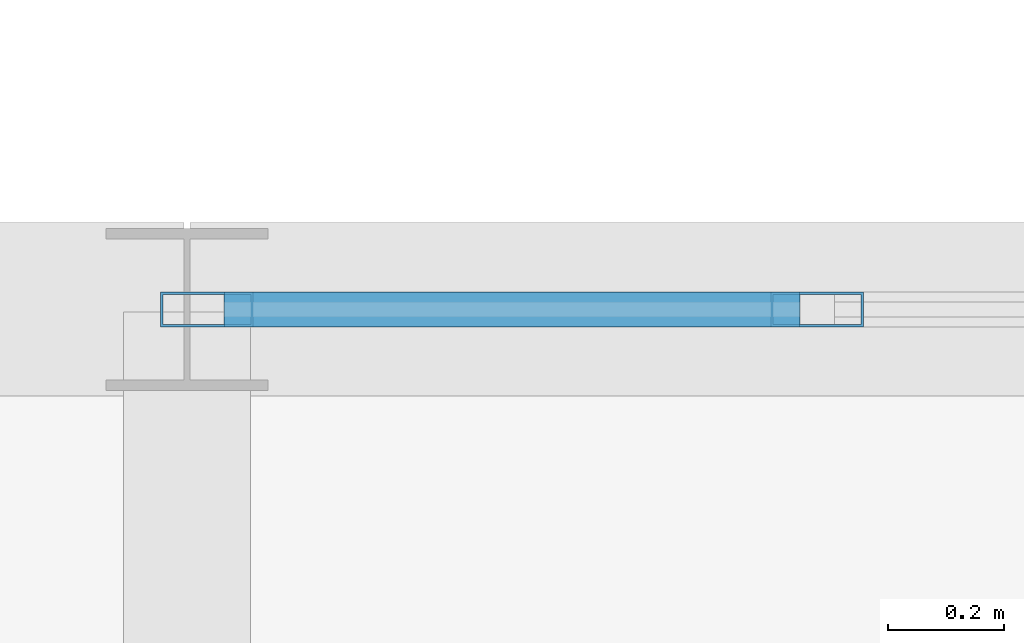
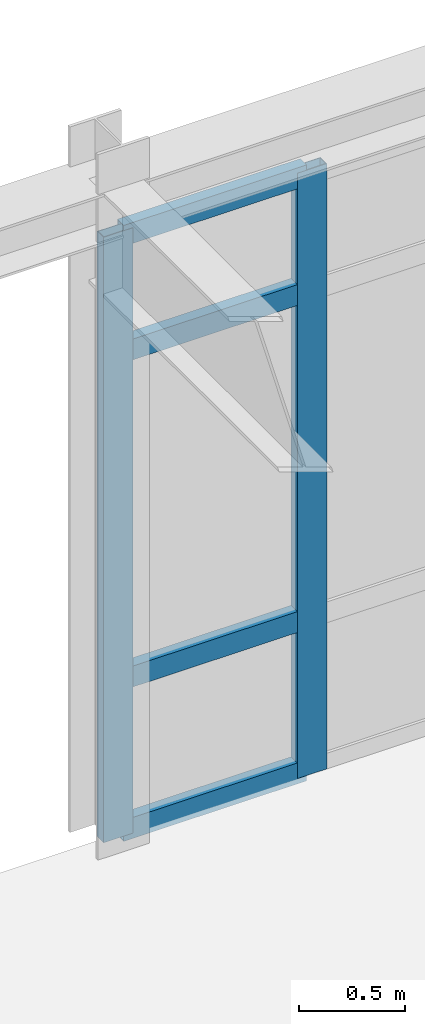
# One storey, part 35 of 165: 6 members, 1 element without a shape of its own.
"""IFC4 building model written with IfcOpenShell, lengths in metres."""

from ifc_helpers import new_model, si_unit, direction, frame, origin, origin_2d, place, context, subcontext, project, spatial, hollow_rectangle, extrude, material, layer, layer_set, material_profile, profile_set, type_object, element, aggregate, save


model = new_model("IFC4")

# Units and contexts
model_context = context("Model", 3, precision=1e-05, world=origin(), true_north=direction((0.0, 1.0)))
body_context = subcontext(model_context, "Body", "Model", "MODEL_VIEW")
ifc_project = project(units=[si_unit("LENGTHUNIT", "METRE"), si_unit("AREAUNIT", "SQUARE_METRE"), si_unit("VOLUMEUNIT", "CUBIC_METRE"), si_unit("PLANEANGLEUNIT", "RADIAN"), si_unit("MASSUNIT", "GRAM", prefix="KILO")], contexts=[model_context])

# Site, building, storey
site_placement = place(None, origin())
site = spatial("IfcSite", under=ifc_project, at=site_placement, CompositionType="ELEMENT")
building_placement = place(site_placement, origin())
building = spatial("IfcBuilding", under=site, at=building_placement, Name="Montecoro Central Library", CompositionType="ELEMENT")
storey_placement = place(building_placement, frame((0.0, 0.0, 5.10009765625)))
storey = spatial("IfcBuildingStorey", under=building, at=storey_placement, Name="L01", CompositionType="ELEMENT", Elevation=5.10009765625)

# Curtain wall, members
ifc_material_1 = material(Name="Bronze-anodised aluminium and low-E glazing", Category="aluminium")
ifc_layer = layer(ifc_material_1, 0.159912109375)
ifc_layer_set = layer_set([ifc_layer], Name="Bronze-anodised aluminium and low-E glazing")
curtain_wall_type = type_object("IfcCurtainWallType", Name="CWT-031", PredefinedType="NOTDEFINED", material=ifc_layer_set)
curtain_wall_placement = place(storey_placement, origin())
curtain_wall = element("IfcCurtainWall", 1, at=curtain_wall_placement, inside=storey, type_object=curtain_wall_type, Name="V3-L01-CW-N4", PredefinedType="NOTDEFINED")
ifc_material_2 = material(Name="Bronze-anodised aluminium", Category="aluminium")
ifc_material_profile_1 = material_profile(ifc_material_2, hollow_rectangle(XDim=0.06005859375, YDim=0.159912109375, WallThickness=0.00390625, at=origin_2d()), Name="CWM 160x60x4.0")
ifc_profile_set_1 = profile_set([ifc_material_profile_1], Name="Bronze-anodised aluminium")
member_type_1 = type_object("IfcMemberType", Name="CWM-BRZ-60", PredefinedType="MULLION", material=ifc_profile_set_1)
member_1_placement = place(storey_placement, frame((36.488525390625, 35.39990234375, 0.0), z_axis=(0.0, 0.0, 1.0), x_axis=(0.0, -1.0, 0.0)))
member_1 = element("IfcMember", 2, at=member_1_placement, type_object=member_type_1, Name="CW-031 mullion 7", PredefinedType="MULLION", context=body_context, shape_type="SweptSolid", body=[
    extrude(hollow_rectangle(XDim=0.06005859375, YDim=0.159912109375, WallThickness=0.00390625, at=origin_2d()), origin(), (0.0, 0.0, 1.0), 3.47998046875),
])
member_2_placement = place(storey_placement, frame((35.43408203125, 35.39990234375, 0.0), z_axis=(0.0, 0.0, 1.0), x_axis=(0.0, -1.0, 0.0)))
member_2 = element("IfcMember", 3, at=member_2_placement, type_object=member_type_1, Name="CW-031 mullion 8", PredefinedType="MULLION", context=body_context, shape_type="SweptSolid", body=[
    extrude(hollow_rectangle(XDim=0.06005859375, YDim=0.159912109375, WallThickness=0.00390625, at=origin_2d()), origin(), (0.0, 0.0, 1.0), 3.47998046875),
])
ifc_material_profile_2 = material_profile(ifc_material_2, hollow_rectangle(XDim=0.06005859375, YDim=0.1201171875, WallThickness=0.00390625, at=origin_2d()), Name="CWT 120x60x4.0")
ifc_profile_set_2 = profile_set([ifc_material_profile_2], Name="Bronze-anodised aluminium")
member_type_2 = type_object("IfcMemberType", Name="CWT-BRZ-60", PredefinedType="USERDEFINED", material=ifc_profile_set_2)
member_3_placement = place(storey_placement, frame((36.45849609375, 35.39990234375, 0.02978515625), z_axis=(-1.0, 0.0, 0.0), x_axis=(0.0, -1.0, 0.0)))
member_3 = element("IfcMember", 4, at=member_3_placement, type_object=member_type_2, Name="CW-031 transom 7.1", ObjectType="TRANSOM", PredefinedType="USERDEFINED", context=body_context, shape_type="SweptSolid", body=[
    extrude(hollow_rectangle(XDim=0.06005859375, YDim=0.1201171875, WallThickness=0.00390625, at=origin_2d()), origin(), (0.0, 0.0, 1.0), 0.994384765625),
])
member_4_placement = place(storey_placement, frame((36.45849609375, 35.39990234375, 0.89990234375), z_axis=(-1.0, 0.0, 0.0), x_axis=(0.0, -1.0, 0.0)))
member_4 = element("IfcMember", 5, at=member_4_placement, type_object=member_type_2, Name="CW-031 transom 7.2", ObjectType="TRANSOM", PredefinedType="USERDEFINED", context=body_context, shape_type="SweptSolid", body=[
    extrude(hollow_rectangle(XDim=0.06005859375, YDim=0.1201171875, WallThickness=0.00390625, at=origin_2d()), origin(), (0.0, 0.0, 1.0), 0.994384765625),
])
member_5_placement = place(storey_placement, frame((36.45849609375, 35.39990234375, 2.77978515625), z_axis=(-1.0, 0.0, 0.0), x_axis=(0.0, -1.0, 0.0)))
member_5 = element("IfcMember", 6, at=member_5_placement, type_object=member_type_2, Name="CW-031 transom 7.3", ObjectType="TRANSOM", PredefinedType="USERDEFINED", context=body_context, shape_type="SweptSolid", body=[
    extrude(hollow_rectangle(XDim=0.06005859375, YDim=0.1201171875, WallThickness=0.00390625, at=origin_2d()), origin(), (0.0, 0.0, 1.0), 0.994384765625),
])
member_6_placement = place(storey_placement, frame((36.45849609375, 35.39990234375, 3.449951171875), z_axis=(-1.0, 0.0, 0.0), x_axis=(0.0, -1.0, 0.0)))
member_6 = element("IfcMember", 7, at=member_6_placement, type_object=member_type_2, Name="CW-031 transom 7.4", ObjectType="TRANSOM", PredefinedType="USERDEFINED", context=body_context, shape_type="SweptSolid", body=[
    extrude(hollow_rectangle(XDim=0.06005859375, YDim=0.1201171875, WallThickness=0.00390625, at=origin_2d()), origin(), (0.0, 0.0, 1.0), 0.994384765625),
])
aggregate(curtain_wall, [member_1, member_2, member_3, member_4, member_5, member_6])

save(model, "model.ifc")
